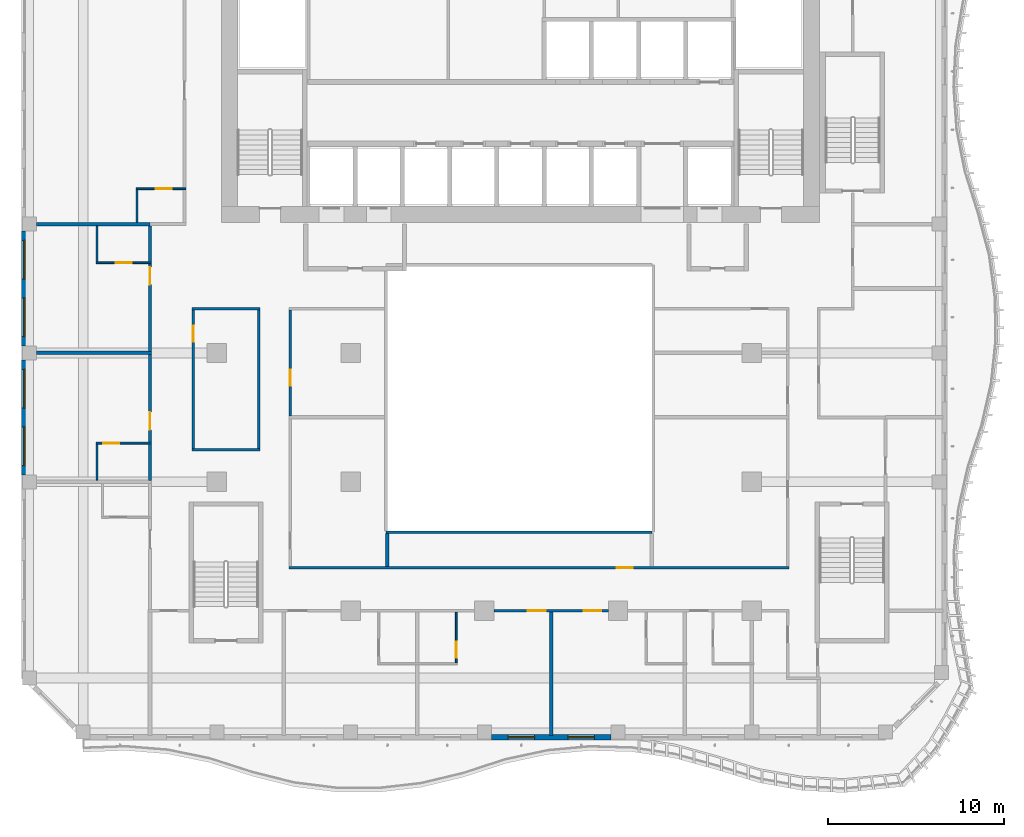
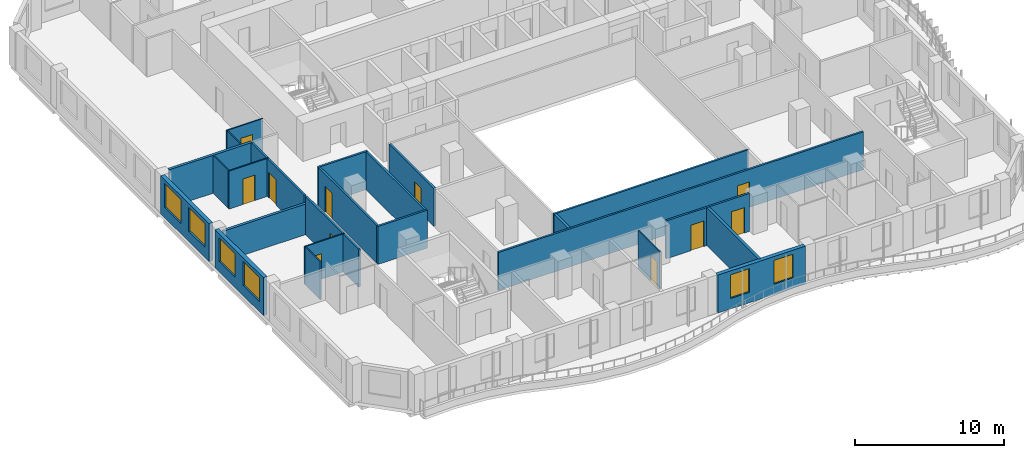
# One storey, part 3 of 20: 26 walls, 11 doors, 6 windows, 17 openings.
"""IFC4 building model written with IfcOpenShell, lengths in metres."""

from ifc_helpers import new_model, si_unit, direction, frame, frame_2d, origin, place, context, subcontext, project, spatial, rectangle, extrude, source, transform, mapped, material, layer, layer_set, type_object, element, fill, save


model = new_model("IFC4")

# Units and contexts
model_context = context("Model", 3, precision=1e-05, world=origin(), true_north=direction((0.0, 1.0)))
body_context = subcontext(model_context, "Body", "Model", "MODEL_VIEW")
ifc_project = project(units=[si_unit("LENGTHUNIT", "METRE"), si_unit("AREAUNIT", "SQUARE_METRE"), si_unit("VOLUMEUNIT", "CUBIC_METRE"), si_unit("PLANEANGLEUNIT", "RADIAN"), si_unit("MASSUNIT", "GRAM", prefix="KILO")], contexts=[model_context])

# Site, building, storey
site_placement = place(None, origin())
site = spatial("IfcSite", under=ifc_project, at=site_placement, CompositionType="ELEMENT")
building_placement = place(site_placement, origin())
building = spatial("IfcBuilding", under=site, at=building_placement, Name="Kilnfold Tower and Market Hall", CompositionType="ELEMENT")
storey_placement = place(building_placement, frame((0.0, 0.0, 157.5)))
storey = spatial("IfcBuildingStorey", under=building, at=storey_placement, Name="L36", CompositionType="ELEMENT", Elevation=157.5)

# Wall
ifc_material_1 = material(Name="Fire-resisting glazed screen")
ifc_layer_1 = layer(ifc_material_1, 0.14990234375)
ifc_layer_set_1 = layer_set([ifc_layer_1], Name="Fire-resisting glazed screen")
wall_type_1 = type_object("IfcWallType", Name="WALL ATRIUM 150", PredefinedType="PARTITIONING", material=ifc_layer_set_1)
wall_1_placement = place(storey_placement, frame((8.5, -9.47509765625, 0.0), z_axis=(0.0, 0.0, 1.0), x_axis=(-1.0, 0.0, 0.0)))
element("IfcWall", 1, at=wall_1_placement, inside=storey, type_object=wall_type_1, Name="Partition LY23.107", PredefinedType="PARTITIONING", context=body_context, shape_type="SweptSolid", body=[
    extrude(rectangle(XDim=15.074951171875, YDim=0.14990234375, at=frame_2d((7.53759765625, 0.0))), origin(), (0.0, 0.0, 1.0), 3.1201171875),
])

# Wall, openings, doors
ifc_material_2 = material(Name="Gypsum board on steel studs", Category="steel")
ifc_layer_2 = layer(ifc_material_2, 0.14990234375)
ifc_layer_set_2 = layer_set([ifc_layer_2], Name="Gypsum board on steel studs")
wall_type_2 = type_object("IfcWallType", Name="WALL CORRIDOR 150", PredefinedType="PARTITIONING", material=ifc_layer_set_2)
wall_2_placement = place(storey_placement, frame((-0.449951171875, -13.93798828125, 0.0), z_axis=(0.0, 0.0, 1.0), x_axis=(1.0, 0.0, 0.0)))
wall_2 = element("IfcWall", 2, at=wall_2_placement, inside=storey, type_object=wall_type_2, Name="Partition LY23.4", PredefinedType="PARTITIONING", context=body_context, shape_type="SweptSolid", body=[
    extrude(rectangle(XDim=6.48291015625, YDim=0.14990234375, at=frame_2d((3.241455078125, 0.0))), origin(), (0.0, 0.0, 1.0), 3.1201171875),
])
opening_1_placement = place(wall_2_placement, frame((1.919921875, 0.0, 0.0)))
opening_1 = element("IfcOpeningElement", 3, at=opening_1_placement, cuts=wall_2, Name="Opening D1", PredefinedType="OPENING", context=body_context, shape_type="SweptSolid", body=[
    extrude(rectangle(XDim=1.0, YDim=2.10009765625, at=frame_2d((0.5, 1.050048828125))), frame((0.0, 0.0849609375, 0.0), z_axis=(0.0, -1.0, 0.0), x_axis=(1.0, 0.0, 0.0)), (0.0, 0.0, 1.0), 0.169921875),
])
opening_2_placement = place(wall_2_placement, frame((5.0810546875, 0.0, 0.0)))
opening_2 = element("IfcOpeningElement", 4, at=opening_2_placement, cuts=wall_2, Name="Opening D1", PredefinedType="OPENING", context=body_context, shape_type="SweptSolid", body=[
    extrude(rectangle(XDim=1.0, YDim=2.10009765625, at=frame_2d((0.5, 1.050048828125))), frame((0.0, 0.0849609375, 0.0), z_axis=(0.0, -1.0, 0.0), x_axis=(1.0, 0.0, 0.0)), (0.0, 0.0, 1.0), 0.169921875),
])
ifc_material_3 = material(Name="Timber veneer door leaf in steel frame", Category="steel")
door_type_1 = type_object("IfcDoorType", Name="DOOR ENTRY 1000 X2100", OperationType="NOTDEFINED", PredefinedType="DOOR", material=ifc_material_3)
door_1_placement = place(opening_1_placement, origin())
door_1 = element("IfcDoor", 5, at=door_1_placement, inside=storey, type_object=door_type_1, Name="Door D1", OperationType="SINGLE_SWING_RIGHT", OverallHeight=2.10009765625, OverallWidth=1.0, PredefinedType="DOOR", context=body_context, shape_type="SweptSolid", body=[
    extrude(rectangle(XDim=1.0, YDim=2.10009765625, at=frame_2d((0.5, 1.050048828125))), frame((0.0, 0.02490234375, 0.0), z_axis=(0.0, -1.0, 0.0), x_axis=(1.0, 0.0, 0.0)), (0.0, 0.0, 1.0), 0.050048828125),
])
fill(opening_1, door_1)
door_2_placement = place(opening_2_placement, origin())
door_2 = element("IfcDoor", 6, at=door_2_placement, inside=storey, type_object=door_type_1, Name="Door D1", OperationType="SINGLE_SWING_RIGHT", OverallHeight=2.10009765625, OverallWidth=1.0, PredefinedType="DOOR", context=body_context, shape_type="SweptSolid", body=[
    extrude(rectangle(XDim=1.0, YDim=2.10009765625, at=frame_2d((0.5, 1.050048828125))), frame((0.0, 0.02490234375, 0.0), z_axis=(0.0, -1.0, 0.0), x_axis=(1.0, 0.0, 0.0)), (0.0, 0.0, 1.0), 0.050048828125),
])
fill(opening_2, door_2)

# Wall, opening, door
wall_3_placement = place(storey_placement, frame((-19.958984375, -4.385009765625, 0.0), z_axis=(0.0, 0.0, 1.0), x_axis=(0.0, 1.0, 0.0)))
wall_3 = element("IfcWall", 7, at=wall_3_placement, inside=storey, type_object=wall_type_2, Name="Partition LY23.12", PredefinedType="PARTITIONING", context=body_context, shape_type="SweptSolid", body=[
    extrude(rectangle(XDim=4.98291015625, YDim=0.14990234375, at=frame_2d((2.491455078125, 0.0))), origin(), (0.0, 0.0, 1.0), 3.1201171875),
])
opening_3_placement = place(wall_3_placement, frame((0.7119140625, 0.0, 0.0)))
opening_3 = element("IfcOpeningElement", 8, at=opening_3_placement, cuts=wall_3, Name="Opening D1", PredefinedType="OPENING", context=body_context, shape_type="SweptSolid", body=[
    extrude(rectangle(XDim=1.0, YDim=2.10009765625, at=frame_2d((0.5, 1.050048828125))), frame((0.0, 0.0849609375, 0.0), z_axis=(0.0, -1.0, 0.0), x_axis=(1.0, 0.0, 0.0)), (0.0, 0.0, 1.0), 0.169921875),
])
door_3_placement = place(opening_3_placement, origin())
door_3 = element("IfcDoor", 9, at=door_3_placement, inside=storey, type_object=door_type_1, Name="Door D1", OperationType="SINGLE_SWING_LEFT", OverallHeight=2.10009765625, OverallWidth=1.0, PredefinedType="DOOR", context=body_context, shape_type="SweptSolid", body=[
    extrude(rectangle(XDim=1.0, YDim=2.10009765625, at=frame_2d((0.5, 1.050048828125))), frame((0.0, 0.02490234375, 0.0), z_axis=(0.0, -1.0, 0.0), x_axis=(1.0, 0.0, 0.0)), (0.0, 0.0, 1.0), 0.050048828125),
])
fill(opening_3, door_3)

# Wall
wall_4_placement = place(storey_placement, frame((-19.958984375, -6.534912109375, 0.0), z_axis=(0.0, 0.0, 1.0), x_axis=(0.0, 1.0, 0.0)))
element("IfcWall", 10, at=wall_4_placement, inside=storey, type_object=wall_type_2, Name="Partition LY23.13", PredefinedType="PARTITIONING", context=body_context, shape_type="SweptSolid", body=[
    extrude(rectangle(XDim=2.06982421875, YDim=0.14990234375, at=frame_2d((1.034912109375, 0.0))), origin(), (0.0, 0.0, 1.0), 3.1201171875),
])

# Wall, opening, door
wall_5_placement = place(storey_placement, frame((-19.958984375, 0.778076171875, 0.0), z_axis=(0.0, 0.0, 1.0), x_axis=(0.0, 1.0, 0.0)))
wall_5 = element("IfcWall", 11, at=wall_5_placement, inside=storey, type_object=wall_type_2, Name="Partition LY23.14", PredefinedType="PARTITIONING", context=body_context, shape_type="SweptSolid", body=[
    extrude(rectangle(XDim=4.98193359375, YDim=0.14990234375, at=frame_2d((2.490966796875, 0.0))), origin(), (0.0, 0.0, 1.0), 3.1201171875),
])
opening_4_placement = place(wall_5_placement, frame((3.781982421875, 0.0, 0.0)))
opening_4 = element("IfcOpeningElement", 12, at=opening_4_placement, cuts=wall_5, Name="Opening D1", PredefinedType="OPENING", context=body_context, shape_type="SweptSolid", body=[
    extrude(rectangle(XDim=1.0, YDim=2.10009765625, at=frame_2d((0.5, 1.050048828125))), frame((0.0, 0.0849609375, 0.0), z_axis=(0.0, -1.0, 0.0), x_axis=(1.0, 0.0, 0.0)), (0.0, 0.0, 1.0), 0.169921875),
])
door_4_placement = place(opening_4_placement, origin())
door_4 = element("IfcDoor", 13, at=door_4_placement, inside=storey, type_object=door_type_1, Name="Door D1", OperationType="SINGLE_SWING_LEFT", OverallHeight=2.10009765625, OverallWidth=1.0, PredefinedType="DOOR", context=body_context, shape_type="SweptSolid", body=[
    extrude(rectangle(XDim=1.0, YDim=2.10009765625, at=frame_2d((0.5, 1.050048828125))), frame((0.0, 0.02490234375, 0.0), z_axis=(0.0, -1.0, 0.0), x_axis=(1.0, 0.0, 0.0)), (0.0, 0.0, 1.0), 0.050048828125),
])
fill(opening_4, door_4)

# Wall
wall_6_placement = place(storey_placement, frame((-19.958984375, 5.840087890625, 0.0), z_axis=(0.0, 0.0, 1.0), x_axis=(0.0, 1.0, 0.0)))
element("IfcWall", 14, at=wall_6_placement, inside=storey, type_object=wall_type_2, Name="Partition LY23.15", PredefinedType="PARTITIONING", context=body_context, shape_type="SweptSolid", body=[
    extrude(rectangle(XDim=2.059814453125, YDim=0.14990234375, at=frame_2d((1.02978515625, 0.0))), origin(), (0.0, 0.0, 1.0), 3.1201171875),
])

# Wall, opening, door
wall_7_placement = place(storey_placement, frame((-12.074951171875, -11.5, 0.0), z_axis=(0.0, 0.0, 1.0), x_axis=(1.0, 0.0, 0.0)))
wall_7 = element("IfcWall", 15, at=wall_7_placement, inside=storey, type_object=wall_type_2, Name="Partition LY23.33", PredefinedType="PARTITIONING", context=body_context, shape_type="SweptSolid", body=[
    extrude(rectangle(XDim=28.349853515625, YDim=0.14990234375, at=frame_2d((14.1748046875, 0.0))), origin(), (0.0, 0.0, 1.0), 3.1201171875),
])
opening_5_placement = place(wall_7_placement, frame((18.583984375, 0.0, 0.0)))
opening_5 = element("IfcOpeningElement", 16, at=opening_5_placement, cuts=wall_7, Name="Opening D2", PredefinedType="OPENING", context=body_context, shape_type="SweptSolid", body=[
    extrude(rectangle(XDim=0.89990234375, YDim=2.10009765625, at=frame_2d((0.449951171875, 1.050048828125))), frame((0.0, 0.0849609375, 0.0), z_axis=(0.0, -1.0, 0.0), x_axis=(1.0, 0.0, 0.0)), (0.0, 0.0, 1.0), 0.169921875),
])
ifc_material_4 = material(Name="Timber veneer door leaf in steel frame", Category="steel")
door_type_2 = type_object("IfcDoorType", Name="DOOR ROOM 900 X2100", OperationType="NOTDEFINED", PredefinedType="DOOR", material=ifc_material_4)
door_5_placement = place(opening_5_placement, origin())
door_5 = element("IfcDoor", 17, at=door_5_placement, inside=storey, type_object=door_type_2, Name="Door D2", OperationType="SINGLE_SWING_RIGHT", OverallHeight=2.10009765625, OverallWidth=0.89990234375, PredefinedType="DOOR", context=body_context, shape_type="SweptSolid", body=[
    extrude(rectangle(XDim=0.89990234375, YDim=2.10009765625, at=frame_2d((0.449951171875, 1.050048828125))), frame((0.0, 0.02490234375, 0.0), z_axis=(0.0, -1.0, 0.0), x_axis=(1.0, 0.0, 0.0)), (0.0, 0.0, 1.0), 0.050048828125),
])
fill(opening_5, door_5)

wall_8_placement = place(storey_placement, frame((-12.0, -2.87890625, 0.0), z_axis=(0.0, 0.0, 1.0), x_axis=(0.0, 1.0, 0.0)))
wall_8 = element("IfcWall", 18, at=wall_8_placement, inside=storey, type_object=wall_type_2, Name="Partition LY23.35", PredefinedType="PARTITIONING", context=body_context, shape_type="SweptSolid", body=[
    extrude(rectangle(XDim=6.00390625, YDim=0.14990234375, at=frame_2d((3.001953125, 0.0))), origin(), (0.0, 0.0, 1.0), 3.1201171875),
])
opening_6_placement = place(wall_8_placement, frame((1.700927734375, 0.0, 0.0)))
opening_6 = element("IfcOpeningElement", 19, at=opening_6_placement, cuts=wall_8, Name="Opening D2", PredefinedType="OPENING", context=body_context, shape_type="SweptSolid", body=[
    extrude(rectangle(XDim=0.89990234375, YDim=2.10009765625, at=frame_2d((0.449951171875, 1.050048828125))), frame((0.0, 0.0849609375, 0.0), z_axis=(0.0, -1.0, 0.0), x_axis=(1.0, 0.0, 0.0)), (0.0, 0.0, 1.0), 0.169921875),
])
door_6_placement = place(opening_6_placement, origin())
door_6 = element("IfcDoor", 20, at=door_6_placement, inside=storey, type_object=door_type_2, Name="Door D2", OperationType="SINGLE_SWING_RIGHT", OverallHeight=2.10009765625, OverallWidth=0.89990234375, PredefinedType="DOOR", context=body_context, shape_type="SweptSolid", body=[
    extrude(rectangle(XDim=0.89990234375, YDim=2.10009765625, at=frame_2d((0.449951171875, 1.050048828125))), frame((0.0, 0.02490234375, 0.0), z_axis=(0.0, -1.0, 0.0), x_axis=(1.0, 0.0, 0.0)), (0.0, 0.0, 1.0), 0.050048828125),
])
fill(opening_6, door_6)

# Wall
wall_9_placement = place(storey_placement, frame((-17.574951171875, 3.199951171875, 0.0), z_axis=(0.0, 0.0, 1.0), x_axis=(1.0, 0.0, 0.0)))
element("IfcWall", 21, at=wall_9_placement, inside=storey, type_object=wall_type_2, Name="Partition LY23.36", PredefinedType="PARTITIONING", context=body_context, shape_type="SweptSolid", body=[
    extrude(rectangle(XDim=3.849853515625, YDim=0.14990234375, at=frame_2d((1.9248046875, 0.0))), origin(), (0.0, 0.0, 1.0), 3.1201171875),
])

# Wall, opening, door
wall_10_placement = place(storey_placement, frame((-17.5, -4.72509765625, 0.0), z_axis=(0.0, 0.0, 1.0), x_axis=(0.0, 1.0, 0.0)))
wall_10 = element("IfcWall", 22, at=wall_10_placement, inside=storey, type_object=wall_type_2, Name="Partition LY23.37", PredefinedType="PARTITIONING", context=body_context, shape_type="SweptSolid", body=[
    extrude(rectangle(XDim=7.85009765625, YDim=0.14990234375, at=frame_2d((3.925048828125, 0.0))), origin(), (0.0, 0.0, 1.0), 3.1201171875),
])
opening_7_placement = place(wall_10_placement, frame((6.044921875, 0.0, 0.0)))
opening_7 = element("IfcOpeningElement", 23, at=opening_7_placement, cuts=wall_10, Name="Opening D2", PredefinedType="OPENING", context=body_context, shape_type="SweptSolid", body=[
    extrude(rectangle(XDim=0.89990234375, YDim=2.10009765625, at=frame_2d((0.449951171875, 1.050048828125))), frame((0.0, 0.0849609375, 0.0), z_axis=(0.0, -1.0, 0.0), x_axis=(1.0, 0.0, 0.0)), (0.0, 0.0, 1.0), 0.169921875),
])
door_7_placement = place(opening_7_placement, origin())
door_7 = element("IfcDoor", 24, at=door_7_placement, inside=storey, type_object=door_type_2, Name="Door D2", OperationType="SINGLE_SWING_LEFT", OverallHeight=2.10009765625, OverallWidth=0.89990234375, PredefinedType="DOOR", context=body_context, shape_type="SweptSolid", body=[
    extrude(rectangle(XDim=0.89990234375, YDim=2.10009765625, at=frame_2d((0.449951171875, 1.050048828125))), frame((0.0, 0.02490234375, 0.0), z_axis=(0.0, -1.0, 0.0), x_axis=(1.0, 0.0, 0.0)), (0.0, 0.0, 1.0), 0.050048828125),
])
fill(opening_7, door_7)

# Walls
wall_11_placement = place(storey_placement, frame((-13.72509765625, -4.800048828125, 0.0), z_axis=(0.0, 0.0, 1.0), x_axis=(-1.0, 0.0, 0.0)))
element("IfcWall", 25, at=wall_11_placement, inside=storey, type_object=wall_type_2, Name="Partition LY23.38", PredefinedType="PARTITIONING", context=body_context, shape_type="SweptSolid", body=[
    extrude(rectangle(XDim=3.849853515625, YDim=0.14990234375, at=frame_2d((1.9248046875, 0.0))), origin(), (0.0, 0.0, 1.0), 3.1201171875),
])
wall_12_placement = place(storey_placement, frame((-13.800048828125, 3.125, 0.0), z_axis=(0.0, 0.0, 1.0), x_axis=(0.0, -1.0, 0.0)))
element("IfcWall", 26, at=wall_12_placement, inside=storey, type_object=wall_type_2, Name="Partition LY23.39", PredefinedType="PARTITIONING", context=body_context, shape_type="SweptSolid", body=[
    extrude(rectangle(XDim=7.85009765625, YDim=0.14990234375, at=frame_2d((3.925048828125, 0.0))), origin(), (0.0, 0.0, 1.0), 3.1201171875),
])

# Wall, opening, door
ifc_material_5 = material(Name="Gypsum board on steel studs", Category="steel")
ifc_layer_3 = layer(ifc_material_5, 0.10009765625)
ifc_layer_set_3 = layer_set([ifc_layer_3], Name="Gypsum board on steel studs")
wall_type_3 = type_object("IfcWallType", Name="WALL PARTITION 100", PredefinedType="PARTITIONING", material=ifc_layer_set_3)
wall_13_placement = place(storey_placement, frame((-2.592041015625, -14.014892578125, 0.0), z_axis=(0.0, 0.0, 1.0), x_axis=(0.0, -1.0, 0.0)))
wall_13 = element("IfcWall", 27, at=wall_13_placement, inside=storey, type_object=wall_type_3, Name="Partition LY23.50", PredefinedType="PARTITIONING", context=body_context, shape_type="SweptSolid", body=[
    extrude(rectangle(XDim=2.875, YDim=0.10009765625, at=frame_2d((1.4375, 0.0))), origin(), (0.0, 0.0, 1.0), 3.1201171875),
])
opening_8_placement = place(wall_13_placement, frame((1.669921875, 0.0, 0.0)))
opening_8 = element("IfcOpeningElement", 28, at=opening_8_placement, cuts=wall_13, Name="Opening D3", PredefinedType="OPENING", context=body_context, shape_type="SweptSolid", body=[
    extrude(rectangle(XDim=0.89990234375, YDim=2.10009765625, at=frame_2d((0.449951171875, 1.050048828125))), frame((0.0, 0.06005859375, 0.0), z_axis=(0.0, -1.0, 0.0), x_axis=(1.0, 0.0, 0.0)), (0.0, 0.0, 1.0), 0.1201171875),
])
ifc_material_6 = material(Name="Timber veneer door leaf in steel frame", Category="steel")
door_type_3 = type_object("IfcDoorType", Name="DOOR WC 900 X2100", OperationType="NOTDEFINED", PredefinedType="DOOR", material=ifc_material_6)
door_8_placement = place(opening_8_placement, origin())
door_8 = element("IfcDoor", 29, at=door_8_placement, inside=storey, type_object=door_type_3, Name="Door D3", OperationType="SINGLE_SWING_LEFT", OverallHeight=2.10009765625, OverallWidth=0.89990234375, PredefinedType="DOOR", context=body_context, shape_type="SweptSolid", body=[
    extrude(rectangle(XDim=0.89990234375, YDim=2.10009765625, at=frame_2d((0.449951171875, 1.050048828125))), frame((0.0, 0.02490234375, 0.0), z_axis=(0.0, -1.0, 0.0), x_axis=(1.0, 0.0, 0.0)), (0.0, 0.0, 1.0), 0.050048828125),
])
fill(opening_8, door_8)

# Wall
wall_14_placement = place(storey_placement, frame((-22.9609375, -6.52490234375, 0.0), z_axis=(0.0, 0.0, 1.0), x_axis=(0.0, 1.0, 0.0)))
element("IfcWall", 30, at=wall_14_placement, inside=storey, type_object=wall_type_3, Name="Partition LY23.65", PredefinedType="PARTITIONING", context=body_context, shape_type="SweptSolid", body=[
    extrude(rectangle(XDim=2.0498046875, YDim=0.10009765625, at=frame_2d((1.02490234375, 0.0))), origin(), (0.0, 0.0, 1.0), 3.1201171875),
])

# Wall, opening, door
wall_15_placement = place(storey_placement, frame((-23.010986328125, -4.425048828125, 0.0), z_axis=(0.0, 0.0, 1.0), x_axis=(1.0, 0.0, 0.0)))
wall_15 = element("IfcWall", 31, at=wall_15_placement, inside=storey, type_object=wall_type_3, Name="Partition LY23.66", PredefinedType="PARTITIONING", context=body_context, shape_type="SweptSolid", body=[
    extrude(rectangle(XDim=3.125, YDim=0.10009765625, at=frame_2d((1.5625, 0.0))), origin(), (0.0, 0.0, 1.0), 3.1201171875),
])
opening_9_placement = place(wall_15_placement, frame((0.403076171875, 0.0, 0.0)))
opening_9 = element("IfcOpeningElement", 32, at=opening_9_placement, cuts=wall_15, Name="Opening D3", PredefinedType="OPENING", context=body_context, shape_type="SweptSolid", body=[
    extrude(rectangle(XDim=0.89990234375, YDim=2.10009765625, at=frame_2d((0.449951171875, 1.050048828125))), frame((0.0, 0.06005859375, 0.0), z_axis=(0.0, -1.0, 0.0), x_axis=(1.0, 0.0, 0.0)), (0.0, 0.0, 1.0), 0.1201171875),
])
door_9_placement = place(opening_9_placement, origin())
door_9 = element("IfcDoor", 33, at=door_9_placement, inside=storey, type_object=door_type_3, Name="Door D3", OperationType="SINGLE_SWING_LEFT", OverallHeight=2.10009765625, OverallWidth=0.89990234375, PredefinedType="DOOR", context=body_context, shape_type="SweptSolid", body=[
    extrude(rectangle(XDim=0.89990234375, YDim=2.10009765625, at=frame_2d((0.449951171875, 1.050048828125))), frame((0.0, 0.02490234375, 0.0), z_axis=(0.0, -1.0, 0.0), x_axis=(1.0, 0.0, 0.0)), (0.0, 0.0, 1.0), 0.050048828125),
])
fill(opening_9, door_9)

# Wall
wall_16_placement = place(storey_placement, frame((-22.9609375, 5.85009765625, 0.0), z_axis=(0.0, 0.0, 1.0), x_axis=(0.0, 1.0, 0.0)))
element("IfcWall", 34, at=wall_16_placement, inside=storey, type_object=wall_type_3, Name="Partition LY23.68", PredefinedType="PARTITIONING", context=body_context, shape_type="SweptSolid", body=[
    extrude(rectangle(XDim=2.0498046875, YDim=0.10009765625, at=frame_2d((1.02490234375, 0.0))), origin(), (0.0, 0.0, 1.0), 3.1201171875),
])

# Wall, opening, door
wall_17_placement = place(storey_placement, frame((-19.885986328125, 5.800048828125, 0.0), z_axis=(0.0, 0.0, 1.0), x_axis=(-1.0, 0.0, 0.0)))
wall_17 = element("IfcWall", 35, at=wall_17_placement, inside=storey, type_object=wall_type_3, Name="Partition LY23.69", PredefinedType="PARTITIONING", context=body_context, shape_type="SweptSolid", body=[
    extrude(rectangle(XDim=3.125, YDim=0.10009765625, at=frame_2d((1.5625, 0.0))), origin(), (0.0, 0.0, 1.0), 3.1201171875),
])
opening_10_placement = place(wall_17_placement, frame((1.113037109375, 0.0, 0.0)))
opening_10 = element("IfcOpeningElement", 36, at=opening_10_placement, cuts=wall_17, Name="Opening D3", PredefinedType="OPENING", context=body_context, shape_type="SweptSolid", body=[
    extrude(rectangle(XDim=0.89990234375, YDim=2.10009765625, at=frame_2d((0.449951171875, 1.050048828125))), frame((0.0, 0.06005859375, 0.0), z_axis=(0.0, -1.0, 0.0), x_axis=(1.0, 0.0, 0.0)), (0.0, 0.0, 1.0), 0.1201171875),
])
door_10_placement = place(opening_10_placement, origin())
door_10 = element("IfcDoor", 37, at=door_10_placement, inside=storey, type_object=door_type_3, Name="Door D3", OperationType="SINGLE_SWING_RIGHT", OverallHeight=2.10009765625, OverallWidth=0.89990234375, PredefinedType="DOOR", context=body_context, shape_type="SweptSolid", body=[
    extrude(rectangle(XDim=0.89990234375, YDim=2.10009765625, at=frame_2d((0.449951171875, 1.050048828125))), frame((0.0, 0.02490234375, 0.0), z_axis=(0.0, -1.0, 0.0), x_axis=(1.0, 0.0, 0.0)), (0.0, 0.0, 1.0), 0.050048828125),
])
fill(opening_10, door_10)

wall_18_placement = place(storey_placement, frame((-20.751953125, 10.0, 0.0), z_axis=(0.0, 0.0, 1.0), x_axis=(1.0, 0.0, 0.0)))
wall_18 = element("IfcWall", 38, at=wall_18_placement, inside=storey, type_object=wall_type_3, Name="Partition LY23.71", PredefinedType="PARTITIONING", context=body_context, shape_type="SweptSolid", body=[
    extrude(rectangle(XDim=2.824951171875, YDim=0.10009765625, at=frame_2d((1.41259765625, 0.0))), origin(), (0.0, 0.0, 1.0), 3.1201171875),
])
opening_11_placement = place(wall_18_placement, frame((1.114990234375, 0.0, 0.0)))
opening_11 = element("IfcOpeningElement", 39, at=opening_11_placement, cuts=wall_18, Name="Opening D3", PredefinedType="OPENING", context=body_context, shape_type="SweptSolid", body=[
    extrude(rectangle(XDim=0.89990234375, YDim=2.10009765625, at=frame_2d((0.449951171875, 1.050048828125))), frame((0.0, 0.06005859375, 0.0), z_axis=(0.0, -1.0, 0.0), x_axis=(1.0, 0.0, 0.0)), (0.0, 0.0, 1.0), 0.1201171875),
])
door_11_placement = place(opening_11_placement, origin())
door_11 = element("IfcDoor", 40, at=door_11_placement, inside=storey, type_object=door_type_3, Name="Door D3", OperationType="SINGLE_SWING_RIGHT", OverallHeight=2.10009765625, OverallWidth=0.89990234375, PredefinedType="DOOR", context=body_context, shape_type="SweptSolid", body=[
    extrude(rectangle(XDim=0.89990234375, YDim=2.10009765625, at=frame_2d((0.449951171875, 1.050048828125))), frame((0.0, 0.02490234375, 0.0), z_axis=(0.0, -1.0, 0.0), x_axis=(1.0, 0.0, 0.0)), (0.0, 0.0, 1.0), 0.050048828125),
])
fill(opening_11, door_11)

# Walls
wall_19_placement = place(storey_placement, frame((-20.701904296875, 8.10009765625, 0.0), z_axis=(0.0, 0.0, 1.0), x_axis=(0.0, 1.0, 0.0)))
element("IfcWall", 41, at=wall_19_placement, inside=storey, type_object=wall_type_3, Name="Partition LY23.72", PredefinedType="PARTITIONING", context=body_context, shape_type="SweptSolid", body=[
    extrude(rectangle(XDim=1.849853515625, YDim=0.10009765625, at=frame_2d((0.9248046875, 0.0))), origin(), (0.0, 0.0, 1.0), 3.1201171875),
])
ifc_material_7 = material(Name="Gypsum board on steel studs", Category="steel")
ifc_layer_4 = layer(ifc_material_7, 0.199951171875)
ifc_layer_set_4 = layer_set([ifc_layer_4], Name="Gypsum board on steel studs")
wall_type_4 = type_object("IfcWallType", Name="WALL PARTY 200", PredefinedType="PARTITIONING", material=ifc_layer_set_4)
wall_20_placement = place(storey_placement, frame((2.7919921875, -21.0, 0.0), z_axis=(0.0, 0.0, 1.0), x_axis=(0.0, 1.0, 0.0)))
element("IfcWall", 42, at=wall_20_placement, inside=storey, type_object=wall_type_4, Name="Partition LY23.51", PredefinedType="PARTITIONING", context=body_context, shape_type="SweptSolid", body=[
    extrude(rectangle(XDim=6.985107421875, YDim=0.199951171875, at=frame_2d((3.49267578125, 0.0))), origin(), (0.0, 0.0, 1.0), 3.1201171875),
])
wall_21_placement = place(storey_placement, frame((-26.39990234375, 0.68798828125, 0.0), z_axis=(0.0, 0.0, 1.0), x_axis=(1.0, 0.0, 0.0)))
element("IfcWall", 43, at=wall_21_placement, inside=storey, type_object=wall_type_4, Name="Partition LY23.67", PredefinedType="PARTITIONING", context=body_context, shape_type="SweptSolid", body=[
    extrude(rectangle(XDim=6.513916015625, YDim=0.199951171875, at=frame_2d((3.2568359375, 0.0))), origin(), (0.0, 0.0, 1.0), 2.52001953125),
])
wall_22_placement = place(storey_placement, frame((-26.39990234375, 8.0, 0.0), z_axis=(0.0, 0.0, 1.0), x_axis=(1.0, 0.0, 0.0)))
element("IfcWall", 44, at=wall_22_placement, inside=storey, type_object=wall_type_4, Name="Partition LY23.70", PredefinedType="PARTITIONING", context=body_context, shape_type="SweptSolid", body=[
    extrude(rectangle(XDim=6.43896484375, YDim=0.199951171875, at=frame_2d((3.219482421875, 0.0))), origin(), (0.0, 0.0, 1.0), 3.1201171875),
])
wall_23_placement = place(storey_placement, frame((-6.5, -11.423095703125, 0.0), z_axis=(0.0, 0.0, 1.0), x_axis=(0.0, 1.0, 0.0)))
element("IfcWall", 45, at=wall_23_placement, inside=storey, type_object=wall_type_4, Name="Partition LY23.102", PredefinedType="PARTITIONING", context=body_context, shape_type="SweptSolid", body=[
    extrude(rectangle(XDim=1.873046875, YDim=0.199951171875, at=frame_2d((0.9365234375, 0.0))), origin(), (0.0, 0.0, 1.0), 3.1201171875),
])

# Wall, openings, windows
ifc_material_8 = material(Name="Precast concrete C50/60", Category="concrete")
ifc_layer_5 = layer(ifc_material_8, 0.300048828125)
ifc_layer_set_5 = layer_set([ifc_layer_5], Name="Precast concrete C50/60")
wall_type_5 = type_object("IfcWallType", Name="PRECAST WALL 300", PredefinedType="SOLIDWALL", material=ifc_layer_set_5)
shared_shape_1 = source(origin(), body_context, "Body", "SweptSolid", [
    extrude(rectangle(XDim=6.783447265625, YDim=0.300048828125, at=frame_2d((3.3916015625, 0.0))), origin(), (0.0, 0.0, 1.0), 3.1201171875),
])
wall_24_placement = place(storey_placement, frame((-0.60009765625, -21.10009765625, 0.0), z_axis=(0.0, 0.0, 1.0), x_axis=(1.0, 0.0, 0.0)))
wall_24 = element("IfcWall", 46, at=wall_24_placement, inside=storey, type_object=wall_type_5, Name="External wall L36 S", PredefinedType="SOLIDWALL", context=body_context, shape_type="MappedRepresentation", body=[
    mapped(shared_shape_1, transform((0.0, 0.0, 0.0))),
])
opening_12_placement = place(wall_24_placement, frame((0.94580078125, 0.0, 0.85009765625)))
opening_12 = element("IfcOpeningElement", 47, at=opening_12_placement, cuts=wall_24, Name="Opening W4", PredefinedType="OPENING", context=body_context, shape_type="SweptSolid", body=[
    extrude(rectangle(XDim=1.5, YDim=1.949951171875, at=frame_2d((0.75, 0.97509765625))), frame((0.0, 0.16015625, 0.0), z_axis=(0.0, -1.0, 0.0), x_axis=(1.0, 0.0, 0.0)), (0.0, 0.0, 1.0), 0.320068359375),
])
opening_13_placement = place(wall_24_placement, frame((4.33740234375, 0.0, 0.85009765625)))
opening_13 = element("IfcOpeningElement", 48, at=opening_13_placement, cuts=wall_24, Name="Opening W4", PredefinedType="OPENING", context=body_context, shape_type="SweptSolid", body=[
    extrude(rectangle(XDim=1.5, YDim=1.949951171875, at=frame_2d((0.75, 0.97509765625))), frame((0.0, 0.16015625, 0.0), z_axis=(0.0, -1.0, 0.0), x_axis=(1.0, 0.0, 0.0)), (0.0, 0.0, 1.0), 0.320068359375),
])
ifc_material_9 = material(Name="Aluminium frame and double glazing", Category="aluminium")
window_type_1 = type_object("IfcWindowType", Name="WINDOW W4 1500X1950", PartitioningType="SINGLE_PANEL", PredefinedType="WINDOW", material=ifc_material_9)
window_1_placement = place(opening_12_placement, origin())
window_1 = element("IfcWindow", 49, at=window_1_placement, inside=storey, type_object=window_type_1, Name="Window W4 L36 S-1", OverallHeight=1.949951171875, OverallWidth=1.5, PartitioningType="SINGLE_PANEL", PredefinedType="WINDOW", context=body_context, shape_type="SweptSolid", body=[
    extrude(rectangle(XDim=1.5, YDim=1.949951171875, at=frame_2d((0.75, 0.97509765625))), frame((0.0, 0.030029296875, 0.0), z_axis=(0.0, -1.0, 0.0), x_axis=(1.0, 0.0, 0.0)), (0.0, 0.0, 1.0), 0.06005859375),
])
fill(opening_12, window_1)
window_2_placement = place(opening_13_placement, origin())
window_2 = element("IfcWindow", 50, at=window_2_placement, inside=storey, type_object=window_type_1, Name="Window W4 L36 S-2", OverallHeight=1.949951171875, OverallWidth=1.5, PartitioningType="SINGLE_PANEL", PredefinedType="WINDOW", context=body_context, shape_type="SweptSolid", body=[
    extrude(rectangle(XDim=1.5, YDim=1.949951171875, at=frame_2d((0.75, 0.97509765625))), frame((0.0, 0.030029296875, 0.0), z_axis=(0.0, -1.0, 0.0), x_axis=(1.0, 0.0, 0.0)), (0.0, 0.0, 1.0), 0.06005859375),
])
fill(opening_13, window_2)

shared_shape_2 = source(origin(), body_context, "Body", "SweptSolid", [
    extrude(rectangle(XDim=6.5126953125, YDim=0.300048828125, at=frame_2d((3.25634765625, 0.0))), origin(), (0.0, 0.0, 1.0), 3.1201171875),
])
wall_25_placement = place(storey_placement, frame((-27.10009765625, 7.60009765625, 0.0), z_axis=(0.0, 0.0, 1.0), x_axis=(0.0, -1.0, 0.0)))
wall_25 = element("IfcWall", 51, at=wall_25_placement, inside=storey, type_object=wall_type_5, Name="External wall L36 W", PredefinedType="SOLIDWALL", context=body_context, shape_type="MappedRepresentation", body=[
    mapped(shared_shape_2, transform((0.0, 0.0, 0.0))),
])
opening_14_placement = place(wall_25_placement, frame((0.528076171875, 0.0, 0.85009765625)))
opening_14 = element("IfcOpeningElement", 52, at=opening_14_placement, cuts=wall_25, Name="Opening W2", PredefinedType="OPENING", context=body_context, shape_type="SweptSolid", body=[
    extrude(rectangle(XDim=2.199951171875, YDim=1.949951171875, at=frame_2d((1.10009765625, 0.97509765625))), frame((0.0, 0.16015625, 0.0), z_axis=(0.0, -1.0, 0.0), x_axis=(1.0, 0.0, 0.0)), (0.0, 0.0, 1.0), 0.320068359375),
])
opening_15_placement = place(wall_25_placement, frame((3.784423828125, 0.0, 0.85009765625)))
opening_15 = element("IfcOpeningElement", 53, at=opening_15_placement, cuts=wall_25, Name="Opening W2", PredefinedType="OPENING", context=body_context, shape_type="SweptSolid", body=[
    extrude(rectangle(XDim=2.199951171875, YDim=1.949951171875, at=frame_2d((1.10009765625, 0.97509765625))), frame((0.0, 0.16015625, 0.0), z_axis=(0.0, -1.0, 0.0), x_axis=(1.0, 0.0, 0.0)), (0.0, 0.0, 1.0), 0.320068359375),
])
ifc_material_10 = material(Name="Aluminium frame and double glazing", Category="aluminium")
window_type_2 = type_object("IfcWindowType", Name="WINDOW W2 2200X1950", PartitioningType="SINGLE_PANEL", PredefinedType="WINDOW", material=ifc_material_10)
window_3_placement = place(opening_14_placement, origin())
window_3 = element("IfcWindow", 54, at=window_3_placement, inside=storey, type_object=window_type_2, Name="Window W2 L36 W-1", OverallHeight=1.949951171875, OverallWidth=2.199951171875, PartitioningType="SINGLE_PANEL", PredefinedType="WINDOW", context=body_context, shape_type="SweptSolid", body=[
    extrude(rectangle(XDim=2.199951171875, YDim=1.949951171875, at=frame_2d((1.10009765625, 0.97509765625))), frame((0.0, 0.030029296875, 0.0), z_axis=(0.0, -1.0, 0.0), x_axis=(1.0, 0.0, 0.0)), (0.0, 0.0, 1.0), 0.06005859375),
])
fill(opening_14, window_3)
window_4_placement = place(opening_15_placement, origin())
window_4 = element("IfcWindow", 55, at=window_4_placement, inside=storey, type_object=window_type_2, Name="Window W2 L36 W-2", OverallHeight=1.949951171875, OverallWidth=2.199951171875, PartitioningType="SINGLE_PANEL", PredefinedType="WINDOW", context=body_context, shape_type="SweptSolid", body=[
    extrude(rectangle(XDim=2.199951171875, YDim=1.949951171875, at=frame_2d((1.10009765625, 0.97509765625))), frame((0.0, 0.030029296875, 0.0), z_axis=(0.0, -1.0, 0.0), x_axis=(1.0, 0.0, 0.0)), (0.0, 0.0, 1.0), 0.06005859375),
])
fill(opening_15, window_4)

wall_26_placement = place(storey_placement, frame((-27.10009765625, 0.28759765625, 0.0), z_axis=(0.0, 0.0, 1.0), x_axis=(0.0, -1.0, 0.0)))
wall_26 = element("IfcWall", 56, at=wall_26_placement, inside=storey, type_object=wall_type_5, Name="External wall L36 W", PredefinedType="SOLIDWALL", context=body_context, shape_type="MappedRepresentation", body=[
    mapped(shared_shape_2, transform((0.0, 0.0, 0.0))),
])
opening_16_placement = place(wall_26_placement, frame((0.5283203125, 0.0, 0.85009765625)))
opening_16 = element("IfcOpeningElement", 57, at=opening_16_placement, cuts=wall_26, Name="Opening W2", PredefinedType="OPENING", context=body_context, shape_type="SweptSolid", body=[
    extrude(rectangle(XDim=2.199951171875, YDim=1.949951171875, at=frame_2d((1.10009765625, 0.97509765625))), frame((0.0, 0.16015625, 0.0), z_axis=(0.0, -1.0, 0.0), x_axis=(1.0, 0.0, 0.0)), (0.0, 0.0, 1.0), 0.320068359375),
])
opening_17_placement = place(wall_26_placement, frame((3.784423828125, 0.0, 0.85009765625)))
opening_17 = element("IfcOpeningElement", 58, at=opening_17_placement, cuts=wall_26, Name="Opening W2", PredefinedType="OPENING", context=body_context, shape_type="SweptSolid", body=[
    extrude(rectangle(XDim=2.199951171875, YDim=1.949951171875, at=frame_2d((1.10009765625, 0.97509765625))), frame((0.0, 0.16015625, 0.0), z_axis=(0.0, -1.0, 0.0), x_axis=(1.0, 0.0, 0.0)), (0.0, 0.0, 1.0), 0.320068359375),
])
window_5_placement = place(opening_16_placement, origin())
window_5 = element("IfcWindow", 59, at=window_5_placement, inside=storey, type_object=window_type_2, Name="Window W2 L36 W-1", OverallHeight=1.949951171875, OverallWidth=2.199951171875, PartitioningType="SINGLE_PANEL", PredefinedType="WINDOW", context=body_context, shape_type="SweptSolid", body=[
    extrude(rectangle(XDim=2.199951171875, YDim=1.949951171875, at=frame_2d((1.10009765625, 0.97509765625))), frame((0.0, 0.030029296875, 0.0), z_axis=(0.0, -1.0, 0.0), x_axis=(1.0, 0.0, 0.0)), (0.0, 0.0, 1.0), 0.06005859375),
])
fill(opening_16, window_5)
window_6_placement = place(opening_17_placement, origin())
window_6 = element("IfcWindow", 60, at=window_6_placement, inside=storey, type_object=window_type_2, Name="Window W2 L36 W-2", OverallHeight=1.949951171875, OverallWidth=2.199951171875, PartitioningType="SINGLE_PANEL", PredefinedType="WINDOW", context=body_context, shape_type="SweptSolid", body=[
    extrude(rectangle(XDim=2.199951171875, YDim=1.949951171875, at=frame_2d((1.10009765625, 0.97509765625))), frame((0.0, 0.030029296875, 0.0), z_axis=(0.0, -1.0, 0.0), x_axis=(1.0, 0.0, 0.0)), (0.0, 0.0, 1.0), 0.06005859375),
])
fill(opening_17, window_6)

save(model, "model.ifc")
